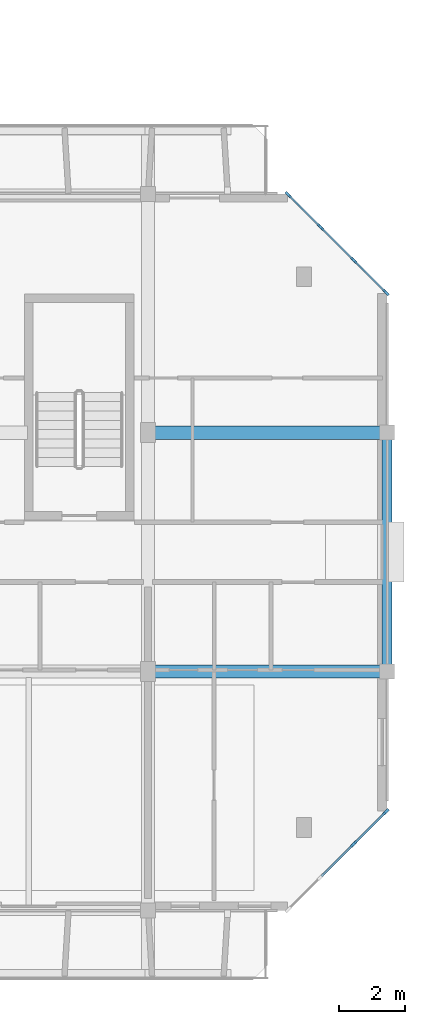
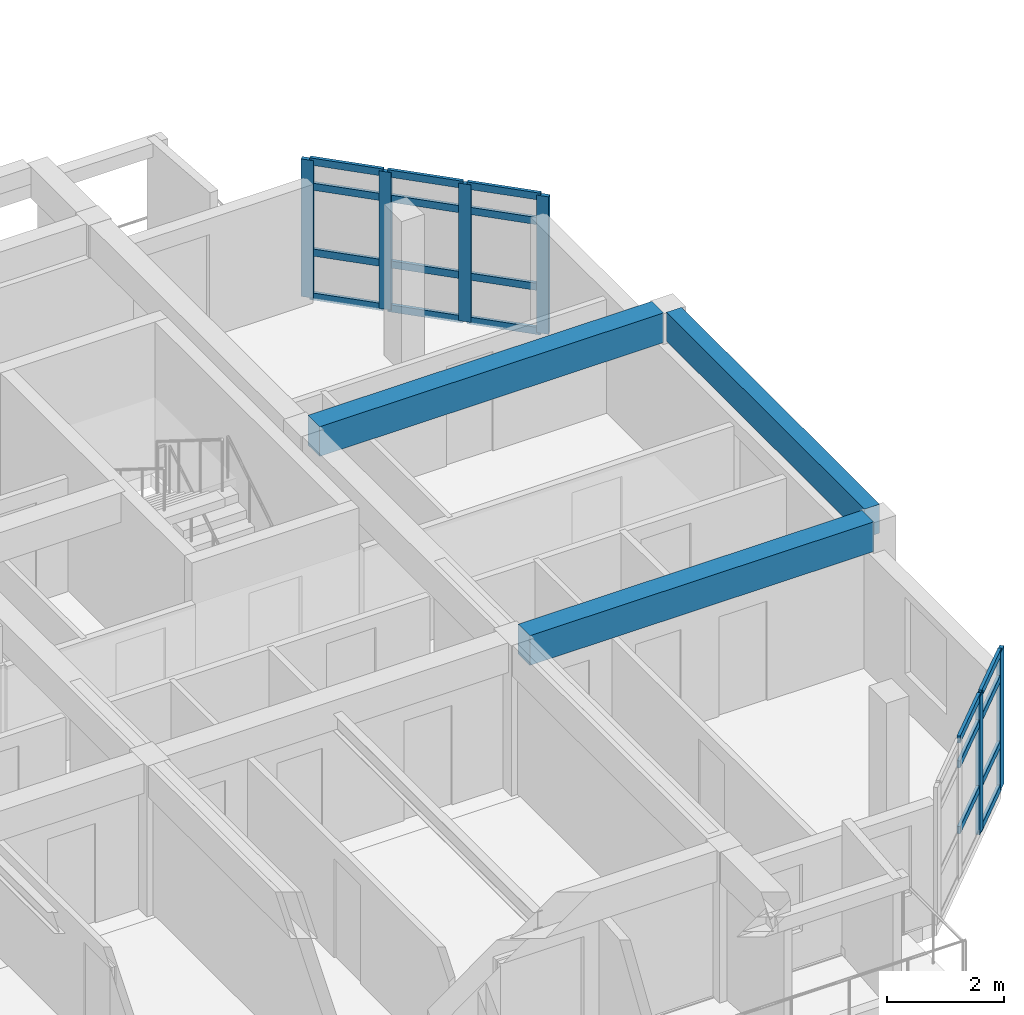
# One storey, part 3 of 22: 25 members, 3 beams, 2 elements without a shape of their own.
"""IFC4 building model written with IfcOpenShell, lengths in metres."""

from ifc_helpers import new_model, si_unit, direction, frame, origin, origin_2d, place, context, subcontext, project, spatial, rectangle, extrude, material, layer, layer_set, material_profile, profile_set, type_object, element, aggregate, save


model = new_model("IFC4")

# Units and contexts
model_context = context("Model", 3, precision=1e-05, world=origin(), true_north=direction((0.0, 1.0)))
body_context = subcontext(model_context, "Body", "Model", "MODEL_VIEW")
ifc_project = project(units=[si_unit("LENGTHUNIT", "METRE"), si_unit("AREAUNIT", "SQUARE_METRE"), si_unit("VOLUMEUNIT", "CUBIC_METRE"), si_unit("PLANEANGLEUNIT", "RADIAN"), si_unit("MASSUNIT", "GRAM", prefix="KILO")], contexts=[model_context])

# Site, building, storey
site_placement = place(None, origin())
site = spatial("IfcSite", under=ifc_project, at=site_placement, CompositionType="ELEMENT")
building_placement = place(site_placement, origin())
building = spatial("IfcBuilding", under=site, at=building_placement, Name="Ochrevale Crest", CompositionType="ELEMENT")
storey_placement = place(building_placement, frame((0.0, 0.0, 40.199951171875)))
storey = spatial("IfcBuildingStorey", under=building, at=storey_placement, Name="L12", CompositionType="ELEMENT", Elevation=40.199951171875)

# Beams
ifc_material_1 = material(Name="Precast concrete C50/60", Category="concrete")
ifc_material_profile_1 = material_profile(ifc_material_1, rectangle(XDim=0.39990234375, YDim=0.6201171875, at=origin_2d()), Name="PC 400x620")
ifc_profile_set_1 = profile_set([ifc_material_profile_1], Name="Precast concrete C50/60")
beam_type_1 = type_object("IfcBeamType", Name="BM-PC400x620", PredefinedType="BEAM", material=ifc_profile_set_1)
for number, where, z_axis, x_axis, name in (
    (1, (158.60009765625, 21.60009765625, 2.840087890625), (1.0, 0.0, 0.0), (0.0, 1.0, 0.0), "Block C L12 E-W beam Y=21.6"),
    (2, (158.60009765625, 28.800048828125, 2.840087890625), (1.0, 0.0, 0.0), (0.0, 1.0, 0.0), "Block C L12 E-W beam Y=28.8"),
):
    element("IfcBeam", number, at=place(storey_placement, frame(where, z_axis=z_axis, x_axis=x_axis)), inside=storey, type_object=beam_type_1, Name=name, PredefinedType="BEAM", context=body_context, shape_type="SweptSolid", body=[
        extrude(rectangle(XDim=0.39990234375, YDim=0.6201171875, at=origin_2d()), origin(), (0.0, 0.0, 1.0), 6.7998046875),
    ])
ifc_material_2 = material(Name="Precast concrete C40/50", Category="concrete")
ifc_material_profile_2 = material_profile(ifc_material_2, rectangle(XDim=0.300048828125, YDim=0.60009765625, at=origin_2d()), Name="PC 300x600")
ifc_profile_set_2 = profile_set([ifc_material_profile_2], Name="Precast concrete C40/50")
beam_type_2 = type_object("IfcBeamType", Name="BM-SP300x600", PredefinedType="SPANDREL", material=ifc_profile_set_2)
beam_placement = place(storey_placement, frame((165.60009765625, 21.804931640625, 2.85009765625), z_axis=(0.0, 1.0, 0.0), x_axis=(-1.0, 0.0, 0.0)))
element("IfcBeam", 3, at=beam_placement, inside=storey, type_object=beam_type_2, Name="Block C L12 N-S beam X=165.6", PredefinedType="SPANDREL", context=body_context, shape_type="SweptSolid", body=[
    extrude(rectangle(XDim=0.300048828125, YDim=0.60009765625, at=origin_2d()), origin(), (0.0, 0.0, 1.0), 6.7900390625),
])

# Curtain wall, members
ifc_material_3 = material(Name="Anodised aluminium 6063-T5", Category="aluminium")
ifc_layer_1 = layer(ifc_material_3, 0.14990234375)
ifc_layer_set_1 = layer_set([ifc_layer_1], Name="Anodised aluminium 6063-T5")
curtain_wall_type_1 = type_object("IfcCurtainWallType", Name="CW-WG-420x285", PredefinedType="NOTDEFINED", material=ifc_layer_set_1)
curtain_wall_1_placement = place(storey_placement, origin())
curtain_wall_1 = element("IfcCurtainWall", 4, at=curtain_wall_1_placement, inside=storey, type_object=curtain_wall_type_1, Name="Block C L12 chamfered corner wintergarden curtain wall 2", PredefinedType="NOTDEFINED")
ifc_material_profile_3 = material_profile(ifc_material_3, rectangle(XDim=0.074951171875, YDim=0.219970703125, at=origin_2d()), Name="ALU 75x220")
ifc_profile_set_3 = profile_set([ifc_material_profile_3], Name="Anodised aluminium 6063-T5")
member_type_1 = type_object("IfcMemberType", Name="CW-MUL-75x220", PredefinedType="MULLION", material=ifc_profile_set_3)
member_1_placement = place(storey_placement, frame((164.60009765625, 16.39990234375, 0.0), z_axis=(0.0, 0.0, 1.0), x_axis=(-0.707106781187, 0.707106781187, 0.0)))
member_1 = element("IfcMember", 5, at=member_1_placement, type_object=member_type_1, Name="CW22 mullion 3", PredefinedType="MULLION", context=body_context, shape_type="SweptSolid", body=[
    extrude(rectangle(XDim=0.074951171875, YDim=0.219970703125, at=origin_2d()), origin(), (0.0, 0.0, 1.0), 2.875),
])
member_2_placement = place(storey_placement, frame((165.573486328125, 17.37353515625, 0.0), z_axis=(0.0, 0.0, 1.0), x_axis=(-0.707106781187, 0.707106781187, 0.0)))
member_2 = element("IfcMember", 6, at=member_2_placement, type_object=member_type_1, Name="CW22 mullion 4", PredefinedType="MULLION", context=body_context, shape_type="SweptSolid", body=[
    extrude(rectangle(XDim=0.074951171875, YDim=0.219970703125, at=origin_2d()), origin(), (0.0, 0.0, 1.0), 2.875),
])

ifc_layer_2 = layer(ifc_material_3, 0.14990234375)
ifc_layer_set_2 = layer_set([ifc_layer_2], Name="Anodised aluminium 6063-T5")
curtain_wall_type_2 = type_object("IfcCurtainWallType", Name="CW-WG-280x285", PredefinedType="NOTDEFINED", material=ifc_layer_set_2)
curtain_wall_2_placement = place(storey_placement, origin())
curtain_wall_2 = element("IfcCurtainWall", 7, at=curtain_wall_2_placement, inside=storey, type_object=curtain_wall_type_2, Name="Block C L12 chamfered corner wintergarden curtain wall 4", PredefinedType="NOTDEFINED")
member_3_placement = place(storey_placement, frame((165.573486328125, 33.026611328125, 0.0), z_axis=(0.0, 0.0, 1.0), x_axis=(-0.707106781187, -0.707106781187, 0.0)))
member_3 = element("IfcMember", 8, at=member_3_placement, type_object=member_type_1, Name="CW16 mullion 1", PredefinedType="MULLION", context=body_context, shape_type="SweptSolid", body=[
    extrude(rectangle(XDim=0.074951171875, YDim=0.219970703125, at=origin_2d()), origin(), (0.0, 0.0, 1.0), 2.875),
])
member_4_placement = place(storey_placement, frame((164.60009765625, 34.0, 0.0), z_axis=(0.0, 0.0, 1.0), x_axis=(-0.707106781187, -0.707106781187, 0.0)))
member_4 = element("IfcMember", 9, at=member_4_placement, type_object=member_type_1, Name="CW16 mullion 2", PredefinedType="MULLION", context=body_context, shape_type="SweptSolid", body=[
    extrude(rectangle(XDim=0.074951171875, YDim=0.219970703125, at=origin_2d()), origin(), (0.0, 0.0, 1.0), 2.875),
])
member_5_placement = place(storey_placement, frame((163.60009765625, 35.0, 0.0), z_axis=(0.0, 0.0, 1.0), x_axis=(-0.707106781187, -0.707106781187, 0.0)))
member_5 = element("IfcMember", 10, at=member_5_placement, type_object=member_type_1, Name="CW16 mullion 3", PredefinedType="MULLION", context=body_context, shape_type="SweptSolid", body=[
    extrude(rectangle(XDim=0.074951171875, YDim=0.219970703125, at=origin_2d()), origin(), (0.0, 0.0, 1.0), 2.875),
])
member_6_placement = place(storey_placement, frame((162.62646484375, 35.973388671875, 0.0), z_axis=(0.0, 0.0, 1.0), x_axis=(-0.707106781187, -0.707106781187, 0.0)))
member_6 = element("IfcMember", 11, at=member_6_placement, type_object=member_type_1, Name="CW16 mullion 4", PredefinedType="MULLION", context=body_context, shape_type="SweptSolid", body=[
    extrude(rectangle(XDim=0.074951171875, YDim=0.219970703125, at=origin_2d()), origin(), (0.0, 0.0, 1.0), 2.875),
])

# Member
ifc_material_profile_4 = material_profile(ifc_material_3, rectangle(XDim=0.06005859375, YDim=0.14990234375, at=origin_2d()), Name="ALU 60x150")
ifc_profile_set_4 = profile_set([ifc_material_profile_4], Name="Anodised aluminium 6063-T5")
member_type_2 = type_object("IfcMemberType", Name="CW-TRN-60x150", PredefinedType="USERDEFINED", material=ifc_profile_set_4)
member_7_placement = place(storey_placement, frame((163.62646484375, 15.426513671875, 0.949951171875), z_axis=(0.707106781187, 0.707106781187, 0.0), x_axis=(-0.707106781187, 0.707106781187, 0.0)))
member_7 = element("IfcMember", 12, at=member_7_placement, type_object=member_type_2, Name="CW22 transom 2.2", ObjectType="TRANSOM", PredefinedType="USERDEFINED", context=body_context, shape_type="SweptSolid", body=[
    extrude(rectangle(XDim=0.06005859375, YDim=0.14990234375, at=origin_2d()), origin(), (0.0, 0.0, 1.0), 1.33935546875),
])

member_8_placement = place(storey_placement, frame((163.62646484375, 15.426513671875, 2.324951171875), z_axis=(0.707106781187, 0.707106781187, 0.0), x_axis=(-0.707106781187, 0.707106781187, 0.0)))
member_8 = element("IfcMember", 13, at=member_8_placement, type_object=member_type_2, Name="CW22 transom 2.3", ObjectType="TRANSOM", PredefinedType="USERDEFINED", context=body_context, shape_type="SweptSolid", body=[
    extrude(rectangle(XDim=0.06005859375, YDim=0.14990234375, at=origin_2d()), origin(), (0.0, 0.0, 1.0), 1.33935546875),
])

member_9_placement = place(storey_placement, frame((163.62646484375, 15.426513671875, 2.844970703125), z_axis=(0.707106781187, 0.707106781187, 0.0), x_axis=(-0.707106781187, 0.707106781187, 0.0)))
member_9 = element("IfcMember", 14, at=member_9_placement, type_object=member_type_2, Name="CW22 transom 2.4", ObjectType="TRANSOM", PredefinedType="USERDEFINED", context=body_context, shape_type="SweptSolid", body=[
    extrude(rectangle(XDim=0.06005859375, YDim=0.14990234375, at=origin_2d()), origin(), (0.0, 0.0, 1.0), 1.33935546875),
])

member_10_placement = place(storey_placement, frame((164.62646484375, 16.426513671875, 0.030029296875), z_axis=(0.707106781187, 0.707106781187, 0.0), x_axis=(-0.707106781187, 0.707106781187, 0.0)))
member_10 = element("IfcMember", 15, at=member_10_placement, type_object=member_type_2, Name="CW22 transom 3.1", ObjectType="TRANSOM", PredefinedType="USERDEFINED", context=body_context, shape_type="SweptSolid", body=[
    extrude(rectangle(XDim=0.06005859375, YDim=0.14990234375, at=origin_2d()), origin(), (0.0, 0.0, 1.0), 1.3017578125),
])

member_11_placement = place(storey_placement, frame((164.62646484375, 16.426513671875, 0.949951171875), z_axis=(0.707106781187, 0.707106781187, 0.0), x_axis=(-0.707106781187, 0.707106781187, 0.0)))
member_11 = element("IfcMember", 16, at=member_11_placement, type_object=member_type_2, Name="CW22 transom 3.2", ObjectType="TRANSOM", PredefinedType="USERDEFINED", context=body_context, shape_type="SweptSolid", body=[
    extrude(rectangle(XDim=0.06005859375, YDim=0.14990234375, at=origin_2d()), origin(), (0.0, 0.0, 1.0), 1.3017578125),
])

member_12_placement = place(storey_placement, frame((164.62646484375, 16.426513671875, 2.324951171875), z_axis=(0.707106781187, 0.707106781187, 0.0), x_axis=(-0.707106781187, 0.707106781187, 0.0)))
member_12 = element("IfcMember", 17, at=member_12_placement, type_object=member_type_2, Name="CW22 transom 3.3", ObjectType="TRANSOM", PredefinedType="USERDEFINED", context=body_context, shape_type="SweptSolid", body=[
    extrude(rectangle(XDim=0.06005859375, YDim=0.14990234375, at=origin_2d()), origin(), (0.0, 0.0, 1.0), 1.3017578125),
])

member_13_placement = place(storey_placement, frame((164.62646484375, 16.426513671875, 2.844970703125), z_axis=(0.707106781187, 0.707106781187, 0.0), x_axis=(-0.707106781187, 0.707106781187, 0.0)))
member_13 = element("IfcMember", 18, at=member_13_placement, type_object=member_type_2, Name="CW22 transom 3.4", ObjectType="TRANSOM", PredefinedType="USERDEFINED", context=body_context, shape_type="SweptSolid", body=[
    extrude(rectangle(XDim=0.06005859375, YDim=0.14990234375, at=origin_2d()), origin(), (0.0, 0.0, 1.0), 1.3017578125),
])

aggregate(curtain_wall_1, [member_1, member_2, member_7, member_8, member_9, member_10, member_11, member_12, member_13])

member_14_placement = place(storey_placement, frame((165.546875, 33.052978515625, 0.030029296875), z_axis=(-0.707106781187, 0.707106781187, 0.0), x_axis=(-0.707106781187, -0.707106781187, 0.0)))
member_14 = element("IfcMember", 19, at=member_14_placement, type_object=member_type_2, Name="CW16 transom 1.1", ObjectType="TRANSOM", PredefinedType="USERDEFINED", context=body_context, shape_type="SweptSolid", body=[
    extrude(rectangle(XDim=0.06005859375, YDim=0.14990234375, at=origin_2d()), origin(), (0.0, 0.0, 1.0), 1.3017578125),
])

member_15_placement = place(storey_placement, frame((165.546875, 33.052978515625, 0.949951171875), z_axis=(-0.707106781187, 0.707106781187, 0.0), x_axis=(-0.707106781187, -0.707106781187, 0.0)))
member_15 = element("IfcMember", 20, at=member_15_placement, type_object=member_type_2, Name="CW16 transom 1.2", ObjectType="TRANSOM", PredefinedType="USERDEFINED", context=body_context, shape_type="SweptSolid", body=[
    extrude(rectangle(XDim=0.06005859375, YDim=0.14990234375, at=origin_2d()), origin(), (0.0, 0.0, 1.0), 1.3017578125),
])

member_16_placement = place(storey_placement, frame((165.546875, 33.052978515625, 2.324951171875), z_axis=(-0.707106781187, 0.707106781187, 0.0), x_axis=(-0.707106781187, -0.707106781187, 0.0)))
member_16 = element("IfcMember", 21, at=member_16_placement, type_object=member_type_2, Name="CW16 transom 1.3", ObjectType="TRANSOM", PredefinedType="USERDEFINED", context=body_context, shape_type="SweptSolid", body=[
    extrude(rectangle(XDim=0.06005859375, YDim=0.14990234375, at=origin_2d()), origin(), (0.0, 0.0, 1.0), 1.3017578125),
])

member_17_placement = place(storey_placement, frame((165.546875, 33.052978515625, 2.844970703125), z_axis=(-0.707106781187, 0.707106781187, 0.0), x_axis=(-0.707106781187, -0.707106781187, 0.0)))
member_17 = element("IfcMember", 22, at=member_17_placement, type_object=member_type_2, Name="CW16 transom 1.4", ObjectType="TRANSOM", PredefinedType="USERDEFINED", context=body_context, shape_type="SweptSolid", body=[
    extrude(rectangle(XDim=0.06005859375, YDim=0.14990234375, at=origin_2d()), origin(), (0.0, 0.0, 1.0), 1.3017578125),
])

member_18_placement = place(storey_placement, frame((164.573486328125, 34.026611328125, 0.030029296875), z_axis=(-0.707197932559, 0.707015618062, 0.0), x_axis=(-0.707015618062, -0.707197932559, 0.0)))
member_18 = element("IfcMember", 23, at=member_18_placement, type_object=member_type_2, Name="CW16 transom 2.1", ObjectType="TRANSOM", PredefinedType="USERDEFINED", context=body_context, shape_type="SweptSolid", body=[
    extrude(rectangle(XDim=0.06005859375, YDim=0.14990234375, at=origin_2d()), origin(), (0.0, 0.0, 1.0), 1.339111328125),
])

member_19_placement = place(storey_placement, frame((164.573486328125, 34.026611328125, 0.949951171875), z_axis=(-0.707197932559, 0.707015618062, 0.0), x_axis=(-0.707015618062, -0.707197932559, 0.0)))
member_19 = element("IfcMember", 24, at=member_19_placement, type_object=member_type_2, Name="CW16 transom 2.2", ObjectType="TRANSOM", PredefinedType="USERDEFINED", context=body_context, shape_type="SweptSolid", body=[
    extrude(rectangle(XDim=0.06005859375, YDim=0.14990234375, at=origin_2d()), origin(), (0.0, 0.0, 1.0), 1.339111328125),
])

member_20_placement = place(storey_placement, frame((164.573486328125, 34.026611328125, 2.324951171875), z_axis=(-0.707197932559, 0.707015618062, 0.0), x_axis=(-0.707015618062, -0.707197932559, 0.0)))
member_20 = element("IfcMember", 25, at=member_20_placement, type_object=member_type_2, Name="CW16 transom 2.3", ObjectType="TRANSOM", PredefinedType="USERDEFINED", context=body_context, shape_type="SweptSolid", body=[
    extrude(rectangle(XDim=0.06005859375, YDim=0.14990234375, at=origin_2d()), origin(), (0.0, 0.0, 1.0), 1.339111328125),
])

member_21_placement = place(storey_placement, frame((164.573486328125, 34.026611328125, 2.844970703125), z_axis=(-0.707197932559, 0.707015618062, 0.0), x_axis=(-0.707015618062, -0.707197932559, 0.0)))
member_21 = element("IfcMember", 26, at=member_21_placement, type_object=member_type_2, Name="CW16 transom 2.4", ObjectType="TRANSOM", PredefinedType="USERDEFINED", context=body_context, shape_type="SweptSolid", body=[
    extrude(rectangle(XDim=0.06005859375, YDim=0.14990234375, at=origin_2d()), origin(), (0.0, 0.0, 1.0), 1.339111328125),
])

member_22_placement = place(storey_placement, frame((163.573486328125, 35.026611328125, 0.030029296875), z_axis=(-0.707106781187, 0.707106781187, 0.0), x_axis=(-0.707106781187, -0.707106781187, 0.0)))
member_22 = element("IfcMember", 27, at=member_22_placement, type_object=member_type_2, Name="CW16 transom 3.1", ObjectType="TRANSOM", PredefinedType="USERDEFINED", context=body_context, shape_type="SweptSolid", body=[
    extrude(rectangle(XDim=0.06005859375, YDim=0.14990234375, at=origin_2d()), origin(), (0.0, 0.0, 1.0), 1.3017578125),
])

member_23_placement = place(storey_placement, frame((163.573486328125, 35.026611328125, 0.949951171875), z_axis=(-0.707106781187, 0.707106781187, 0.0), x_axis=(-0.707106781187, -0.707106781187, 0.0)))
member_23 = element("IfcMember", 28, at=member_23_placement, type_object=member_type_2, Name="CW16 transom 3.2", ObjectType="TRANSOM", PredefinedType="USERDEFINED", context=body_context, shape_type="SweptSolid", body=[
    extrude(rectangle(XDim=0.06005859375, YDim=0.14990234375, at=origin_2d()), origin(), (0.0, 0.0, 1.0), 1.3017578125),
])

member_24_placement = place(storey_placement, frame((163.573486328125, 35.026611328125, 2.324951171875), z_axis=(-0.707106781187, 0.707106781187, 0.0), x_axis=(-0.707106781187, -0.707106781187, 0.0)))
member_24 = element("IfcMember", 29, at=member_24_placement, type_object=member_type_2, Name="CW16 transom 3.3", ObjectType="TRANSOM", PredefinedType="USERDEFINED", context=body_context, shape_type="SweptSolid", body=[
    extrude(rectangle(XDim=0.06005859375, YDim=0.14990234375, at=origin_2d()), origin(), (0.0, 0.0, 1.0), 1.3017578125),
])

member_25_placement = place(storey_placement, frame((163.573486328125, 35.026611328125, 2.844970703125), z_axis=(-0.707106781187, 0.707106781187, 0.0), x_axis=(-0.707106781187, -0.707106781187, 0.0)))
member_25 = element("IfcMember", 30, at=member_25_placement, type_object=member_type_2, Name="CW16 transom 3.4", ObjectType="TRANSOM", PredefinedType="USERDEFINED", context=body_context, shape_type="SweptSolid", body=[
    extrude(rectangle(XDim=0.06005859375, YDim=0.14990234375, at=origin_2d()), origin(), (0.0, 0.0, 1.0), 1.3017578125),
])

aggregate(curtain_wall_2, [member_3, member_4, member_5, member_6, member_14, member_15, member_16, member_17, member_18, member_19, member_20, member_21, member_22, member_23, member_24, member_25])

save(model, "model.ifc")
